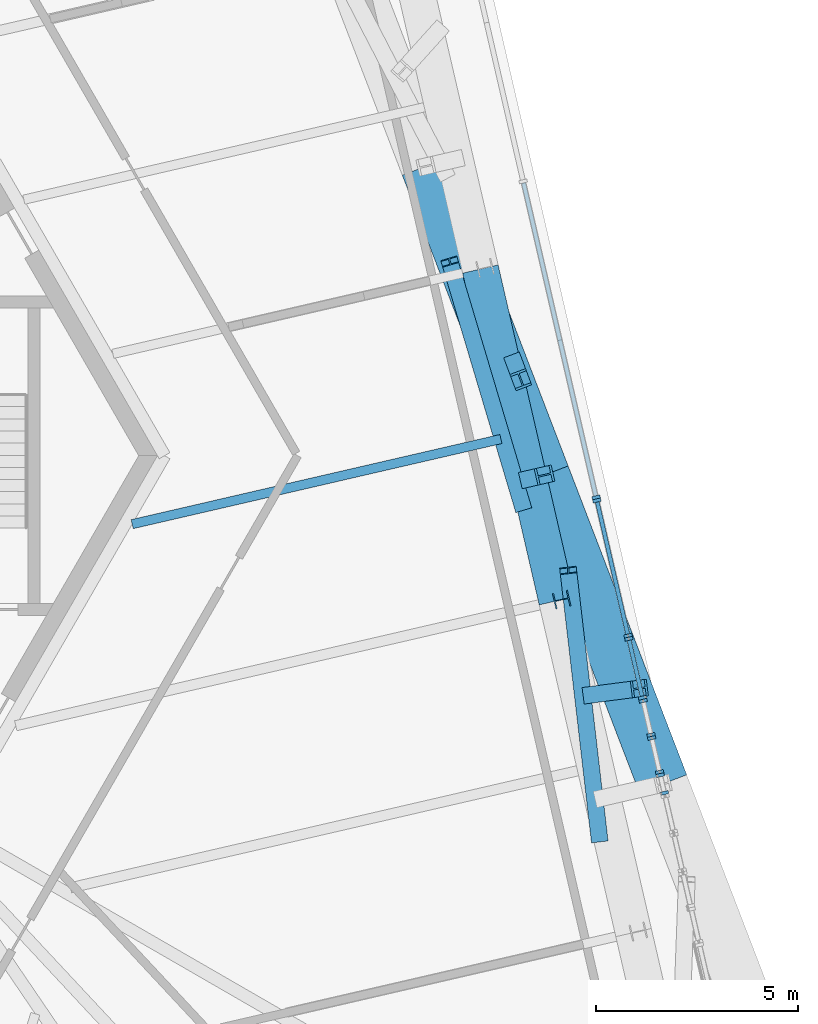
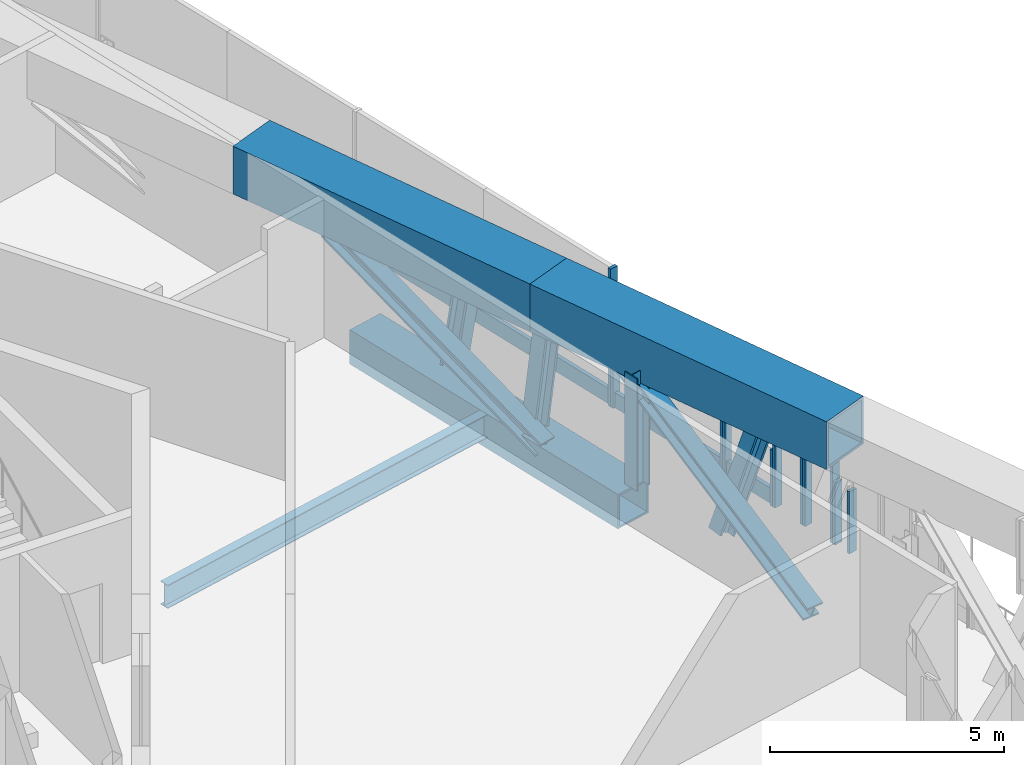
# One storey, part 6 of 31: 23 members, 1 beam, 6 elements without a shape of their own.
"""IFC4 building model written with IfcOpenShell, lengths in metres."""

from ifc_helpers import new_model, si_unit, direction, frame, origin, origin_2d, place, context, subcontext, project, spatial, rectangle, hollow_rectangle, i_section, extrude, source, transform, mapped, material, material_profile, profile_set, type_object, element, aggregate, save


model = new_model("IFC4")

# Units and contexts
model_context = context("Model", 3, precision=1e-05, world=origin(), true_north=direction((0.0, 1.0)))
body_context = subcontext(model_context, "Body", "Model", "MODEL_VIEW")
ifc_project = project(units=[si_unit("LENGTHUNIT", "METRE"), si_unit("AREAUNIT", "SQUARE_METRE"), si_unit("VOLUMEUNIT", "CUBIC_METRE"), si_unit("PLANEANGLEUNIT", "RADIAN"), si_unit("MASSUNIT", "GRAM", prefix="KILO")], contexts=[model_context])

# Site, building, storey
site_placement = place(None, origin())
site = spatial("IfcSite", under=ifc_project, at=site_placement, CompositionType="ELEMENT")
building_placement = place(site_placement, origin())
building = spatial("IfcBuilding", under=site, at=building_placement, Name="Triune Harvest Tower", CompositionType="ELEMENT")
storey_placement = place(building_placement, frame((0.0, 0.0, 134.300048828125)))
storey = spatial("IfcBuildingStorey", under=building, at=storey_placement, Name="L34", CompositionType="ELEMENT", Elevation=134.300048828125)

# Curtain wall, member
ifc_material_1 = material(Name="Aluminium bronze anodised", Category="aluminium")
curtain_wall_type = type_object("IfcCurtainWallType", Name="CW-5 Plant louvre wall", PredefinedType="NOTDEFINED", material=ifc_material_1)
curtain_wall_1_placement = place(storey_placement, origin())
curtain_wall_1 = element("IfcCurtainWall", 1, at=curtain_wall_1_placement, inside=storey, type_object=curtain_wall_type, Name="CW-5 B3-F1 L34 run 1401")
ifc_material_2 = material(Name="Aluminium bronze anodised", Category="aluminium")
ifc_material_profile_1 = material_profile(ifc_material_2, rectangle(XDim=0.10009765625, YDim=0.39990234375, at=origin_2d()), Name="TR-5 transom 100 x 400")
ifc_profile_set_1 = profile_set([ifc_material_profile_1], Name="Aluminium bronze anodised")
member_type_1 = type_object("IfcMemberType", Name="TR-5 transom 100 x 400", PredefinedType="USERDEFINED", material=ifc_profile_set_1)
member_1_placement = place(storey_placement, frame((23.975341796875, -5.942138671875, 0.199951171875), z_axis=(-0.224960301109, 0.974367929955, 0.0), x_axis=(-0.974367929955, -0.224960301109, 0.0)))
member_1 = element("IfcMember", 2, at=member_1_placement, type_object=member_type_1, Name="CW-5 transom B3-F1 1401.1", ObjectType="TRANSOM", PredefinedType="USERDEFINED", context=body_context, shape_type="SweptSolid", body=[
    extrude(rectangle(XDim=0.10009765625, YDim=0.39990234375, at=origin_2d()), origin(), (0.0, 0.0, 1.0), 1.415283203125),
])

curtain_wall_2_placement = place(storey_placement, origin())
curtain_wall_2 = element("IfcCurtainWall", 3, at=curtain_wall_2_placement, inside=storey, type_object=curtain_wall_type, Name="CW-5 B3-F1 L34 run 1501")
member_2_placement = place(storey_placement, frame((23.62109375, -4.407470703125, 0.199951171875), z_axis=(-0.22493940944, 0.97437275315, 0.0), x_axis=(-0.97437275315, -0.22493940944, 0.0)))
member_2 = element("IfcMember", 4, at=member_2_placement, type_object=member_type_1, Name="CW-5 transom B3-F1 1501.1", ObjectType="TRANSOM", PredefinedType="USERDEFINED", context=body_context, shape_type="SweptSolid", body=[
    extrude(rectangle(XDim=0.10009765625, YDim=0.39990234375, at=origin_2d()), origin(), (0.0, 0.0, 1.0), 3.34716796875),
])

# Beam
ifc_material_3 = material(Name="Steel ASTM A992 Gr 50", Category="steel")
ifc_material_profile_2 = material_profile(ifc_material_3, i_section(OverallWidth=0.22900390625, OverallDepth=0.612060546875, WebThickness=0.011962890625, FlangeThickness=0.01953125, at=origin_2d()), Name="W24x84")
ifc_profile_set_2 = profile_set([ifc_material_profile_2], Name="Steel ASTM A992 Gr 50")
beam_type = type_object("IfcBeamType", Name="JT-3 Floor joist W24x84", PredefinedType="JOIST", material=ifc_profile_set_2)
shared_shape_1 = source(origin(), body_context, "Body", "SweptSolid", [
    extrude(i_section(OverallWidth=0.22900390625, OverallDepth=0.612060546875, WebThickness=0.011962890625, FlangeThickness=0.01953125, at=origin_2d()), origin(), (0.0, 0.0, 1.0), 9.3525390625),
])
beam_placement = place(storey_placement, frame((20.488037109375, 0.412109375, -0.55615234375), z_axis=(-0.9743722739, -0.224941485404, 0.0), x_axis=(0.224941485404, -0.9743722739, 0.0)))
element("IfcBeam", 5, at=beam_placement, inside=storey, type_object=beam_type, Name="beam/L34/JT5", PredefinedType="JOIST", context=body_context, shape_type="MappedRepresentation", body=[
    mapped(shared_shape_1, transform((0.0, 0.0, 0.0), scale=1.0)),
])

# Members
ifc_material_4 = material(Name="Steel ASTM A992 Gr 50", Category="steel")
ifc_material_profile_3 = material_profile(ifc_material_4, i_section(OverallWidth=0.396240234375, OverallDepth=0.381103515625, WebThickness=0.01904296875, FlangeThickness=0.0302734375, at=origin_2d()), Name="W14x159")
ifc_profile_set_3 = profile_set([ifc_material_profile_3], Name="Steel ASTM A992 Gr 50")
member_type_2 = type_object("IfcMemberType", Name="WP-3 Roof edge post W14x159", PredefinedType="POST", material=ifc_profile_set_3)
shared_shape_2 = source(origin(), body_context, "Body", "SweptSolid", [
    extrude(i_section(OverallWidth=0.396240234375, OverallDepth=0.381103515625, WebThickness=0.01904296875, FlangeThickness=0.0302734375, at=origin_2d()), origin(), (0.0, 0.0, 1.0), 2.935546875),
])
member_3_placement = place(storey_placement, frame((21.98974609375, -3.55908203125, -0.25), z_axis=(0.0, 0.0, 1.0), x_axis=(-0.22495275494, 0.97436967217, 0.0)))
element("IfcMember", 6, at=member_3_placement, inside=storey, type_object=member_type_2, Name="post/L34/W2", PredefinedType="POST", context=body_context, shape_type="MappedRepresentation", body=[
    mapped(shared_shape_2, transform((0.0, 0.0, 0.0), scale=1.0)),
])
ifc_material_5 = material(Name="Steel ASTM A572 Gr 50", Category="steel")
ifc_material_profile_4 = material_profile(ifc_material_5, hollow_rectangle(XDim=0.89990234375, YDim=0.89990234375, WallThickness=0.050048828125, at=origin_2d()), Name="Box 900x900x50")
ifc_profile_set_4 = profile_set([ifc_material_profile_4], Name="Steel ASTM A572 Gr 50")
member_type_3 = type_object("IfcMemberType", Name="TC-2 Belt truss chord Box 900x900x50", PredefinedType="CHORD", material=ifc_profile_set_4)
shared_shape_3 = source(origin(), body_context, "Body", "SweptSolid", [
    extrude(hollow_rectangle(XDim=0.89990234375, YDim=0.89990234375, WallThickness=0.050048828125, at=origin_2d()), origin(), (0.0, 0.0, 1.0), 8.414306640625),
])
member_4_placement = place(storey_placement, frame((21.872802734375, -3.5859375, -0.699951171875), z_axis=(-0.224950624774, 0.974370163959, 0.0), x_axis=(-0.974370163959, -0.224950624774, 0.0)))
element("IfcMember", 7, at=member_4_placement, inside=storey, type_object=member_type_3, Name="truss/L34/TCB3", PredefinedType="CHORD", context=body_context, shape_type="MappedRepresentation", body=[
    mapped(shared_shape_3, transform((0.0, 0.0, 0.0), scale=1.0)),
])
ifc_material_6 = material(Name="Steel ASTM A572 Gr 50", Category="steel")
ifc_material_profile_5 = material_profile(ifc_material_6, hollow_rectangle(XDim=1.25, YDim=1.25, WallThickness=0.070068359375, at=origin_2d()), Name="Box 1250x1250x70")
ifc_profile_set_5 = profile_set([ifc_material_profile_5], Name="Steel ASTM A572 Gr 50")
member_type_4 = type_object("IfcMemberType", Name="TC-1 Belt truss chord Box 1250x1250x70", PredefinedType="CHORD", material=ifc_profile_set_5)
shared_shape_4 = source(origin(), body_context, "Body", "SweptSolid", [
    extrude(hollow_rectangle(XDim=1.25, YDim=1.25, WallThickness=0.070068359375, at=origin_2d()), origin(), (0.0, 0.0, 1.0), 8.175048828125),
])
for number, where, z_axis, x_axis, name in (
    (8, (24.495361328125, -8.1103515625, 2.974853515625), (-0.358368636722, 0.933580162714, 0.0), (-0.933580162714, -0.358368636722, 0.0), "truss/L34/TCT2"),
    (9, (21.565673828125, -0.478271484375, 2.974853515625), (-0.358368636722, 0.933580162714, 0.0), (-0.933580162714, -0.358368636722, 0.0), "truss/L34/TCT3"),
):
    element("IfcMember", number, at=place(storey_placement, frame(where, z_axis=z_axis, x_axis=x_axis)), inside=storey, type_object=member_type_4, Name=name, PredefinedType="CHORD", context=body_context, shape_type="MappedRepresentation", body=[
        mapped(shared_shape_4, transform((0.0, 0.0, 0.0), scale=1.0)),
    ])
ifc_material_7 = material(Name="Steel ASTM A992 Gr 50", Category="steel")
ifc_material_profile_6 = material_profile(ifc_material_7, i_section(OverallWidth=0.411376953125, OverallDepth=0.434326171875, WebThickness=0.035888671875, FlangeThickness=0.057373046875, at=origin_2d()), Name="W14x311")
ifc_profile_set_6 = profile_set([ifc_material_profile_6], Name="Steel ASTM A992 Gr 50")
member_type_5 = type_object("IfcMemberType", Name="TV-1 Belt truss strut W14x311", PredefinedType="STRUT", material=ifc_profile_set_6)
shared_shape_5 = source(origin(), body_context, "Body", "SweptSolid", [
    extrude(i_section(OverallWidth=0.411376953125, OverallDepth=0.434326171875, WebThickness=0.035888671875, FlangeThickness=0.057373046875, at=origin_2d()), origin(), (0.0, 0.0, 1.0), 2.68994140625),
])
member_5_placement = place(storey_placement, frame((21.17626953125, -0.568115234375, -0.275146484375), z_axis=(0.144759572761, 0.033399073841, 0.988903012414), x_axis=(-0.224814889439, 0.97440149091, 0.0)))
element("IfcMember", 10, at=member_5_placement, inside=storey, type_object=member_type_5, Name="truss/L34/TS3", PredefinedType="STRUT", context=body_context, shape_type="MappedRepresentation", body=[
    mapped(shared_shape_5, transform((0.0, 0.0, 0.0), scale=1.0)),
])
ifc_material_8 = material(Name="Steel ASTM A992 Gr 50", Category="steel")
ifc_material_profile_7 = material_profile(ifc_material_8, i_section(OverallWidth=0.411376953125, OverallDepth=0.434326171875, WebThickness=0.035888671875, FlangeThickness=0.057373046875, at=origin_2d()), Name="W14x311")
ifc_profile_set_7 = profile_set([ifc_material_profile_7], Name="Steel ASTM A992 Gr 50")
member_type_6 = type_object("IfcMemberType", Name="TD-2 Belt truss diagonal W14x311", PredefinedType="BRACE", material=ifc_profile_set_7)
shared_shape_6 = source(origin(), body_context, "Body", "SweptSolid", [
    extrude(i_section(OverallWidth=0.411376953125, OverallDepth=0.434326171875, WebThickness=0.035888671875, FlangeThickness=0.057373046875, at=origin_2d()), origin(), (0.0, 0.0, 1.0), 7.201171875),
])
member_6_placement = place(storey_placement, frame((22.921875, -9.462646484375, -0.324951171875), z_axis=(-0.10686304591, 0.920303737703, 0.376326081728), x_axis=(-0.993325820502, -0.115342161953, 0.0)))
element("IfcMember", 11, at=member_6_placement, inside=storey, type_object=member_type_6, Name="truss/L34/TD3", PredefinedType="BRACE", context=body_context, shape_type="MappedRepresentation", body=[
    mapped(shared_shape_6, transform((0.0, 0.0, 0.0), scale=1.0)),
])
shared_shape_7 = source(origin(), body_context, "Body", "SweptSolid", [
    extrude(i_section(OverallWidth=0.411376953125, OverallDepth=0.434326171875, WebThickness=0.035888671875, FlangeThickness=0.057373046875, at=origin_2d()), origin(), (0.0, 0.0, 1.0), 2.964599609375),
])
member_7_placement = place(storey_placement, frame((22.716796875, -5.908203125, -0.324951171875), z_axis=(0.402051284697, 0.052212313498, 0.914127255251), x_axis=(-0.128783392425, 0.991672747349, 0.0)))
element("IfcMember", 12, at=member_7_placement, inside=storey, type_object=member_type_6, Name="truss/L34/TD4", PredefinedType="BRACE", context=body_context, shape_type="MappedRepresentation", body=[
    mapped(shared_shape_7, transform((0.0, 0.0, 0.0), scale=1.0)),
])
shared_shape_8 = source(origin(), body_context, "Body", "SweptSolid", [
    extrude(i_section(OverallWidth=0.411376953125, OverallDepth=0.434326171875, WebThickness=0.035888671875, FlangeThickness=0.057373046875, at=origin_2d()), origin(), (0.0, 0.0, 1.0), 6.880126953125),
])
member_8_placement = place(storey_placement, frame((21.02880859375, -1.263916015625, -0.324951171875), z_axis=(-0.262516866027, 0.880875734288, 0.393881753569), x_axis=(-0.958347470628, -0.285604841593, 0.0)))
element("IfcMember", 13, at=member_8_placement, inside=storey, type_object=member_type_6, Name="truss/L34/TD5", PredefinedType="BRACE", context=body_context, shape_type="MappedRepresentation", body=[
    mapped(shared_shape_8, transform((0.0, 0.0, 0.0), scale=1.0)),
])
shared_shape_9 = source(origin(), body_context, "Body", "SweptSolid", [
    extrude(i_section(OverallWidth=0.411376953125, OverallDepth=0.434326171875, WebThickness=0.035888671875, FlangeThickness=0.057373046875, at=origin_2d()), origin(), (0.0, 0.0, 1.0), 2.745361328125),
])
member_9_placement = place(storey_placement, frame((20.82421875, 2.29052734375, -0.324951171875), z_axis=(0.0563796044, -0.149930619904, 0.987087711109), x_axis=(0.936009379747, 0.35197505739, 0.0)))
element("IfcMember", 14, at=member_9_placement, inside=storey, type_object=member_type_6, Name="truss/L34/TD6", PredefinedType="BRACE", context=body_context, shape_type="MappedRepresentation", body=[
    mapped(shared_shape_9, transform((0.0, 0.0, 0.0), scale=1.0)),
])

# Curtain wall, member
curtain_wall_3_placement = place(storey_placement, origin())
curtain_wall_3 = element("IfcCurtainWall", 15, at=curtain_wall_3_placement, inside=storey, type_object=curtain_wall_type, Name="CW-5 B3-F1 L34 run 1601")
ifc_material_9 = material(Name="Aluminium bronze anodised", Category="aluminium")
ifc_material_profile_8 = material_profile(ifc_material_9, rectangle(XDim=0.199951171875, YDim=0.080078125, at=origin_2d()), Name="MU-5 mullion 80 x 200")
ifc_profile_set_8 = profile_set([ifc_material_profile_8], Name="Aluminium bronze anodised")
member_type_7 = type_object("IfcMemberType", Name="MU-5 mullion 80 x 200", PredefinedType="MULLION", material=ifc_profile_set_8)
shared_shape_10 = source(origin(), body_context, "Body", "SweptSolid", [
    extrude(rectangle(XDim=0.199951171875, YDim=0.080078125, at=origin_2d()), origin(), (0.0, 0.0, 1.0), 3.599853515625),
])
member_10_placement = place(storey_placement, frame((22.841064453125, -1.029052734375, 0.0), z_axis=(0.0, 0.0, 1.0), x_axis=(-0.974370000314, -0.224951333599, 0.0)))
member_10 = element("IfcMember", 16, at=member_10_placement, type_object=member_type_7, Name="CW-5 mullion B3-F1 1601.1", PredefinedType="MULLION", context=body_context, shape_type="MappedRepresentation", body=[
    mapped(shared_shape_10, transform((0.0, 0.0, 0.0), scale=1.0)),
])

# Curtain wall, members
curtain_wall_4_placement = place(storey_placement, origin())
curtain_wall_4 = element("IfcCurtainWall", 17, at=curtain_wall_4_placement, inside=storey, type_object=curtain_wall_type, Name="CW-5 B3-F1 L34 run 1201")
shared_shape_11 = source(origin(), body_context, "Body", "SweptSolid", [
    extrude(rectangle(XDim=0.199951171875, YDim=0.080078125, at=origin_2d()), origin(), (0.0, 0.0, 1.0), 2.2900390625),
])
member_11_placement = place(storey_placement, frame((24.408203125, -7.816650390625, 0.0), z_axis=(0.0, 0.0, 1.0), x_axis=(-0.974367929956, -0.224960301107, 0.0)))
member_11 = element("IfcMember", 18, at=member_11_placement, type_object=member_type_7, Name="CW-5 mullion B3-F1 1201.1", PredefinedType="MULLION", context=body_context, shape_type="MappedRepresentation", body=[
    mapped(shared_shape_11, transform((0.0, 0.0, 0.0), scale=1.0)),
])
member_12_placement = place(storey_placement, frame((24.21435546875, -6.976806640625, 0.0), z_axis=(0.0, 0.0, 1.0), x_axis=(-0.974367929956, -0.224960301107, 0.0)))
member_12 = element("IfcMember", 19, at=member_12_placement, type_object=member_type_7, Name="CW-5 mullion B3-F1 1201.2", PredefinedType="MULLION", context=body_context, shape_type="MappedRepresentation", body=[
    mapped(shared_shape_11, transform((0.0, 0.0, 0.0), scale=1.0)),
])
aggregate(curtain_wall_4, [member_11, member_12])

# Member
member_13_placement = place(storey_placement, frame((23.630126953125, -4.446533203125, 0.0), z_axis=(0.0, 0.0, 1.0), x_axis=(-0.974366681743, -0.224965707407, 0.0)))
member_13 = element("IfcMember", 20, at=member_13_placement, type_object=member_type_7, Name="CW-5 mullion B3-F1 1501.1", PredefinedType="MULLION", context=body_context, shape_type="MappedRepresentation", body=[
    mapped(shared_shape_11, transform((0.0, 0.0, 0.0), scale=1.0)),
])

member_14_placement = place(storey_placement, frame((22.859130859375, -1.107177734375, 0.0), z_axis=(0.0, 0.0, 1.0), x_axis=(-0.974366681743, -0.224965707407, 0.0)))
member_14 = element("IfcMember", 21, at=member_14_placement, type_object=member_type_7, Name="CW-5 mullion B3-F1 1501.2", PredefinedType="MULLION", context=body_context, shape_type="MappedRepresentation", body=[
    mapped(shared_shape_11, transform((0.0, 0.0, 0.0), scale=1.0)),
])

aggregate(curtain_wall_2, [member_13, member_14, member_2])

# Curtain wall, members
curtain_wall_5_placement = place(storey_placement, origin())
curtain_wall_5 = element("IfcCurtainWall", 22, at=curtain_wall_5_placement, inside=storey, type_object=curtain_wall_type, Name="CW-5 B3-F1 L34 run 1101")
shared_shape_12 = source(origin(), body_context, "Body", "SweptSolid", [
    extrude(rectangle(XDim=0.199951171875, YDim=0.080078125, at=origin_2d()), origin(), (0.0, 0.0, 1.0), 1.62548828125),
])
member_15_placement = place(storey_placement, frame((24.527587890625, -8.334716796875, 0.0), z_axis=(0.0, 0.0, 1.0), x_axis=(-0.97439753724, -0.224832024901, 0.0)))
member_15 = element("IfcMember", 23, at=member_15_placement, type_object=member_type_7, Name="CW-5 mullion B3-F1 1101.1", PredefinedType="MULLION", context=body_context, shape_type="MappedRepresentation", body=[
    mapped(shared_shape_12, transform((0.0, 0.0, 0.0), scale=1.0)),
])
member_16_placement = place(storey_placement, frame((24.42626953125, -7.894775390625, 0.0), z_axis=(0.0, 0.0, 1.0), x_axis=(-0.97439753724, -0.224832024901, 0.0)))
member_16 = element("IfcMember", 24, at=member_16_placement, type_object=member_type_7, Name="CW-5 mullion B3-F1 1101.2", PredefinedType="MULLION", context=body_context, shape_type="MappedRepresentation", body=[
    mapped(shared_shape_12, transform((0.0, 0.0, 0.0), scale=1.0)),
])
aggregate(curtain_wall_5, [member_15, member_16])

curtain_wall_6_placement = place(storey_placement, origin())
curtain_wall_6 = element("IfcCurtainWall", 25, at=curtain_wall_6_placement, inside=storey, type_object=curtain_wall_type, Name="CW-5 B3-F1 L34 run 1301")
shared_shape_13 = source(origin(), body_context, "Body", "SweptSolid", [
    extrude(rectangle(XDim=0.199951171875, YDim=0.080078125, at=origin_2d()), origin(), (0.0, 0.0, 1.0), 2.037353515625),
])
member_17_placement = place(storey_placement, frame((24.1962890625, -6.89892578125, 0.0), z_axis=(0.0, 0.0, 1.0), x_axis=(-0.974367929956, -0.224960301107, 0.0)))
member_17 = element("IfcMember", 26, at=member_17_placement, type_object=member_type_7, Name="CW-5 mullion B3-F1 1301.1", PredefinedType="MULLION", context=body_context, shape_type="MappedRepresentation", body=[
    mapped(shared_shape_13, transform((0.0, 0.0, 0.0), scale=1.0)),
])
member_18_placement = place(storey_placement, frame((24.00244140625, -6.05908203125, 0.0), z_axis=(0.0, 0.0, 1.0), x_axis=(-0.974367929956, -0.224960301107, 0.0)))
member_18 = element("IfcMember", 27, at=member_18_placement, type_object=member_type_7, Name="CW-5 mullion B3-F1 1301.2", PredefinedType="MULLION", context=body_context, shape_type="MappedRepresentation", body=[
    mapped(shared_shape_13, transform((0.0, 0.0, 0.0), scale=1.0)),
])
aggregate(curtain_wall_6, [member_17, member_18])

# Member
shared_shape_14 = source(origin(), body_context, "Body", "SweptSolid", [
    extrude(rectangle(XDim=0.199951171875, YDim=0.080078125, at=origin_2d()), origin(), (0.0, 0.0, 1.0), 1.467041015625),
])
member_19_placement = place(storey_placement, frame((23.984375, -5.981201171875, 0.0), z_axis=(0.0, 0.0, 1.0), x_axis=(-0.974371931288, -0.224942969479, 0.0)))
member_19 = element("IfcMember", 28, at=member_19_placement, type_object=member_type_7, Name="CW-5 mullion B3-F1 1401.1", PredefinedType="MULLION", context=body_context, shape_type="MappedRepresentation", body=[
    mapped(shared_shape_14, transform((0.0, 0.0, 0.0), scale=1.0)),
])

member_20_placement = place(storey_placement, frame((23.648193359375, -4.5244140625, 0.0), z_axis=(0.0, 0.0, 1.0), x_axis=(-0.974371931288, -0.224942969479, 0.0)))
member_20 = element("IfcMember", 29, at=member_20_placement, type_object=member_type_7, Name="CW-5 mullion B3-F1 1401.2", PredefinedType="MULLION", context=body_context, shape_type="MappedRepresentation", body=[
    mapped(shared_shape_14, transform((0.0, 0.0, 0.0), scale=1.0)),
])

aggregate(curtain_wall_1, [member_19, member_20, member_1])

shared_shape_15 = source(origin(), body_context, "Body", "SweptSolid", [
    extrude(rectangle(XDim=0.10009765625, YDim=0.39990234375, at=origin_2d()), origin(), (0.0, 0.0, 1.0), 7.932861328125),
])
member_21_placement = place(storey_placement, frame((22.83203125, -0.990234375, 0.199951171875), z_axis=(-0.224942670567, 0.974372000295, 0.0), x_axis=(-0.974372000295, -0.224942670567, 0.0)))
member_21 = element("IfcMember", 30, at=member_21_placement, type_object=member_type_1, Name="CW-5 transom B3-F1 1601.1", ObjectType="TRANSOM", PredefinedType="USERDEFINED", context=body_context, shape_type="MappedRepresentation", body=[
    mapped(shared_shape_15, transform((0.0, 0.0, 0.0), scale=1.0)),
])

aggregate(curtain_wall_3, [member_10, member_21])

save(model, "model.ifc")
